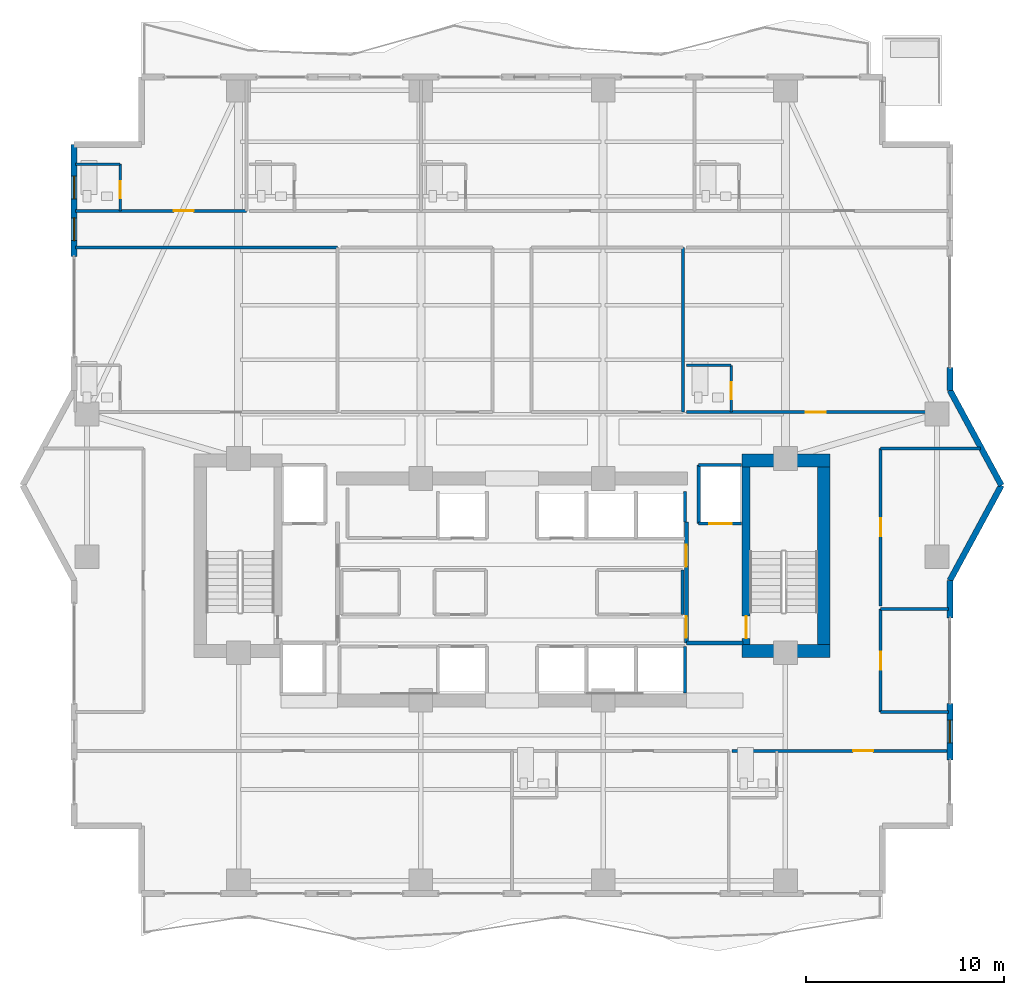
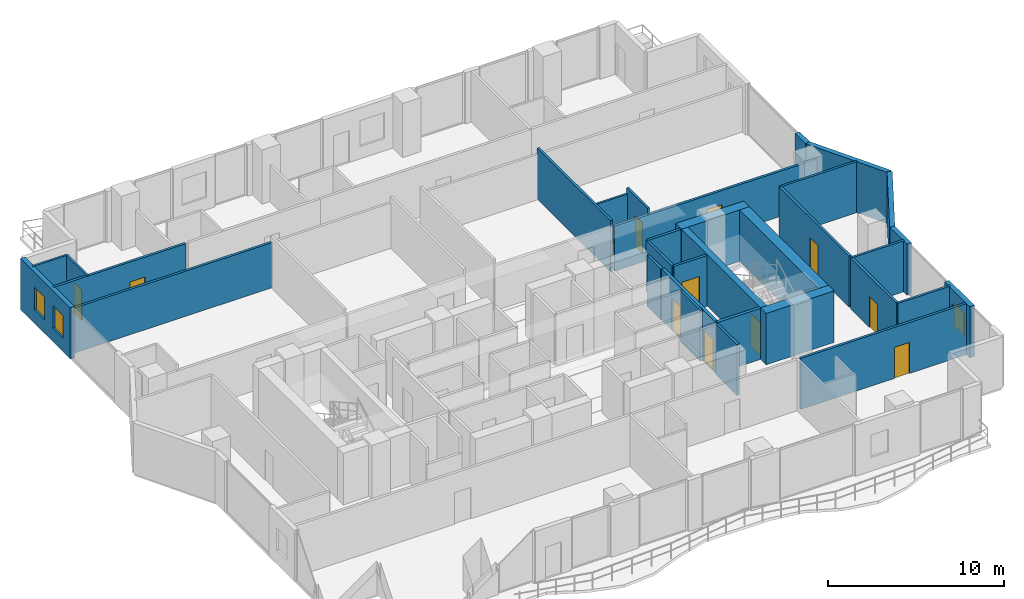
# One storey, part 27 of 33: 32 walls, 11 doors, 3 windows, 14 openings.
"""IFC4 building model written with IfcOpenShell, lengths in metres."""

import ifcopenshell
import ifcopenshell.guid

model = None  # the IFC model being written
_history = None  # IfcOwnerHistory: only IFC2X3 demands one
_inside = {}  # id of a spatial element -> (the spatial element, [elements in it])
_under = {}  # id of a project, library or spatial element -> (it, [spatial elements below it])
_declared = {}  # id of a project -> (the project, [libraries it declares])
_typed = {}  # id of a type object -> (the type object, [elements of that type])
_made_of = {}  # id of a material, layer set ... -> (it, [elements and type objects made of it])


def new_model(schema):
    """Start an empty IFC model of exactly this schema.

    Asked for "IFC4X3", IfcOpenShell would pick the latest addendum, in which some entities
    have other attributes; the version numbers below select the first issue.
    IFC2X3 requires an IfcOwnerHistory on every rooted entity: one is made here for all.
    """
    global model, _history
    if schema == "IFC4X3":
        model = ifcopenshell.file(schema_version=(4, 3, 0, 0))
    else:
        model = ifcopenshell.file(schema=schema)
    _inside.clear()
    _under.clear()
    _declared.clear()
    _typed.clear()
    _made_of.clear()
    _history = None
    if model.schema == "IFC2X3":
        org = make("IfcOrganization", Name="unknown")
        user = make(
            "IfcPersonAndOrganization",
            ThePerson=make("IfcPerson", FamilyName="unknown"),
            TheOrganization=org,
        )
        app = make(
            "IfcApplication",
            ApplicationDeveloper=org,
            Version="unknown",
            ApplicationFullName="unknown",
            ApplicationIdentifier="unknown",
        )
        _history = make(
            "IfcOwnerHistory",
            OwningUser=user,
            OwningApplication=app,
            ChangeAction="ADDED",
            CreationDate=0,
        )
    return model


def make(cls, **values):
    """One entity of the class cls with the attributes given. An attribute that is None is left unset."""
    return model.create_entity(
        cls, **{name: value for name, value in values.items() if value is not None}
    )


def rooted(cls, **values):
    """An entity with a GlobalId (a new one), such as an element, a storey or a relation."""
    return make(cls, GlobalId=ifcopenshell.guid.new(), OwnerHistory=_history, **values)


def si_unit(unit_type, name, prefix=None):
    """IfcSIUnit, for example si_unit("LENGTHUNIT", "METRE", prefix="MILLI")."""
    return make("IfcSIUnit", UnitType=unit_type, Prefix=prefix, Name=name)


def assignment(units):
    """IfcUnitAssignment: the units of a project."""
    return None if units is None else make("IfcUnitAssignment", Units=units)


def point(xyz):
    """IfcCartesianPoint."""
    return None if xyz is None else make("IfcCartesianPoint", Coordinates=xyz)


def direction(xyz):
    """IfcDirection."""
    return None if xyz is None else make("IfcDirection", DirectionRatios=xyz)


def frame(location, z_axis=None, x_axis=None):
    """IfcAxis2Placement3D, a coordinate frame: its origin and axes. An axis left out is left unset."""
    return make(
        "IfcAxis2Placement3D",
        Location=point(location),
        Axis=direction(z_axis),
        RefDirection=direction(x_axis),
    )


def frame_2d(location, x_axis=None):
    """IfcAxis2Placement2D, a coordinate frame in the plane: its origin and x axis."""
    return make(
        "IfcAxis2Placement2D", Location=point(location), RefDirection=direction(x_axis)
    )


def origin():
    """The frame at (0, 0, 0) with its axes left unset."""
    return frame((0.0, 0.0, 0.0))


def place(relative_to, where):
    """IfcLocalPlacement: puts the frame where relative to a parent placement (None: the world)."""
    return make(
        "IfcLocalPlacement", PlacementRelTo=relative_to, RelativePlacement=where
    )


def context(
    kind, dimensions, precision=None, world=None, true_north=None, identifier=None
):
    """IfcGeometricRepresentationContext, for example the 3D "Model" context."""
    return make(
        "IfcGeometricRepresentationContext",
        ContextIdentifier=identifier,
        ContextType=kind,
        CoordinateSpaceDimension=dimensions,
        Precision=precision,
        WorldCoordinateSystem=world,
        TrueNorth=true_north,
    )


def subcontext(parent, identifier, kind, view, scale=None):
    """IfcGeometricRepresentationSubContext, for example "Body" below "Model"."""
    return make(
        "IfcGeometricRepresentationSubContext",
        ContextIdentifier=identifier,
        ContextType=kind,
        ParentContext=parent,
        TargetScale=scale,
        TargetView=view,
    )


def project(units=None, contexts=None):
    """IfcProject with its units and contexts."""
    return rooted(
        "IfcProject",
        Name="project",
        RepresentationContexts=contexts,
        UnitsInContext=assignment(units),
    )


def spatial(cls, under=None, at=None, **own):
    """A site, building, storey or space (cls), placed at a placement, below another one or the project."""
    s = rooted(cls, ObjectPlacement=at, **own)
    if under is not None:
        _under.setdefault(under.id(), (under, []))[1].append(s)
    return s


def profile(cls, at=None, kind="AREA", **sizes):
    """A parametric profile (cls). Its sizes go by their IFC names, for example OverallWidth=200.0."""
    return make(cls, ProfileType=kind, Position=at, **sizes)


def rectangle(**sizes):
    """IfcRectangleProfileDef."""
    return profile("IfcRectangleProfileDef", **sizes)


def extrude(swept, where, along, depth):
    """IfcExtrudedAreaSolid: the profile swept, set in the frame where, extruded along a direction by depth."""
    return make(
        "IfcExtrudedAreaSolid",
        SweptArea=swept,
        Position=where,
        ExtrudedDirection=direction(along),
        Depth=depth,
    )


def shape(context_of_items, identifier, shape_type, items):
    """IfcShapeRepresentation: the items that make up one representation, for example the "Body"."""
    return make(
        "IfcShapeRepresentation",
        ContextOfItems=context_of_items,
        RepresentationIdentifier=identifier,
        RepresentationType=shape_type,
        Items=items,
    )


def material(Name=None, Category=None):
    """IfcMaterial."""
    return make("IfcMaterial", Name=Name, Category=Category)


def layer(
    of_material, thickness, ventilated=None, Name=None, Category=None, Priority=None
):
    """IfcMaterialLayer: one layer of a wall or slab, of a material (None: an air gap)."""
    return make(
        "IfcMaterialLayer",
        Material=of_material,
        LayerThickness=thickness,
        IsVentilated=ventilated,
        Name=Name,
        Category=Category,
        Priority=Priority,
    )


def layer_set(layers, Name=None):
    """IfcMaterialLayerSet."""
    return make("IfcMaterialLayerSet", MaterialLayers=layers, LayerSetName=Name)


def made_of(thing, what):
    """Note that an element or type object is made of a material, layer set ...; save() writes the relation."""
    if what is not None:
        _made_of.setdefault(what.id(), (what, []))[1].append(thing)
    return thing


def type_object(cls, material=None, **own):
    """A type object (cls), such as IfcWallType, which elements share."""
    return made_of(rooted(cls, **own), material)


def element(
    cls,
    number,
    at=None,
    inside=None,
    cuts=None,
    type_object=None,
    material=None,
    context=None,
    identifier="Body",
    shape_type=None,
    held_by="IfcProductDefinitionShape",
    body=None,
    shapes=None,
    **own,
):
    """One element of the class cls, such as IfcWall. Its Tag is "e" and its number.

    at: its placement. inside: the storey or other place that contains it. cuts: it is an
    opening in that element (IfcRelVoidsElement). A single representation is given by context,
    identifier, shape_type and body (its items); several are given by shapes. held_by: the class
    of the entity that holds the representations. save() writes the other relations.
    """
    e = rooted(cls, Tag="e%d" % number, ObjectPlacement=at, **own)
    if body is not None:
        shapes = [shape(context, identifier, shape_type, body)]
    if shapes is not None:
        e.Representation = make(held_by, Representations=shapes)
    if inside is not None:
        _inside.setdefault(inside.id(), (inside, []))[1].append(e)
    if cuts is not None:
        rooted(
            "IfcRelVoidsElement", RelatingBuildingElement=cuts, RelatedOpeningElement=e
        )
    if type_object is not None:
        _typed.setdefault(type_object.id(), (type_object, []))[1].append(e)
    return made_of(e, material)


def fill(opening, filler):
    """IfcRelFillsElement: the door or window that sits in an opening."""
    return rooted(
        "IfcRelFillsElement",
        RelatingOpeningElement=opening,
        RelatedBuildingElement=filler,
    )


def aggregate(whole, parts):
    """IfcRelAggregates: a whole, such as a stair, and the parts it consists of."""
    return rooted("IfcRelAggregates", RelatingObject=whole, RelatedObjects=parts)


def save(model, path):
    """Write the relations noted so far, then the file.

    IfcRelAggregates (storeys below a building ...), IfcRelContainedInSpatialStructure (elements
    in a storey), IfcRelDefinesByType, IfcRelAssociatesMaterial and IfcRelDeclares: one each for
    every whole, place, type object, material and project.
    """
    for whole, parts in _under.values():
        aggregate(whole, parts)
    for where, things in _inside.values():
        rooted(
            "IfcRelContainedInSpatialStructure",
            RelatedElements=things,
            RelatingStructure=where,
        )
    for kind, things in _typed.values():
        rooted("IfcRelDefinesByType", RelatedObjects=things, RelatingType=kind)
    for what, things in _made_of.values():
        rooted("IfcRelAssociatesMaterial", RelatedObjects=things, RelatingMaterial=what)
    for by, libraries in _declared.values():
        rooted("IfcRelDeclares", RelatingContext=by, RelatedDefinitions=libraries)
    model.write(path)


model = new_model("IFC4")

# Units and contexts
model_context = context("Model", 3, precision=1e-05, world=origin(), true_north=direction((0.0, 1.0)))
body_context = subcontext(model_context, "Body", "Model", "MODEL_VIEW")
ifc_project = project(units=[si_unit("LENGTHUNIT", "METRE"), si_unit("AREAUNIT", "SQUARE_METRE"), si_unit("VOLUMEUNIT", "CUBIC_METRE"), si_unit("PLANEANGLEUNIT", "RADIAN"), si_unit("MASSUNIT", "GRAM", prefix="KILO")], contexts=[model_context])

# Site, building, storey
site_placement = place(None, origin())
site = spatial("IfcSite", under=ifc_project, at=site_placement, CompositionType="ELEMENT")
building_placement = place(site_placement, origin())
building = spatial("IfcBuilding", under=site, at=building_placement, Name="Zuhayl Quay Hotel", CompositionType="ELEMENT")
storey_placement = place(building_placement, frame((0.0, 0.0, 211.14990234375)))
storey = spatial("IfcBuildingStorey", under=building, at=storey_placement, Name="L53", CompositionType="ELEMENT", Elevation=211.14990234375)

# Walls
ifc_material_1 = material(Name="Concrete C50/60", Category="concrete")
ifc_layer_1 = layer(ifc_material_1, 0.64990234375, Name="Concrete C50/60", Category="concrete")
ifc_layer_set_1 = layer_set([ifc_layer_1], Name="Concrete C50/60")
wall_type_1 = type_object("IfcWallType", Name="WL_CORE_650", PredefinedType="SHEAR", material=ifc_layer_set_1)
wall_1_placement = place(storey_placement, frame((11.60009765625, 14.2548828125, 0.0), z_axis=(0.0, 0.0, 1.0), x_axis=(1.0, 0.0, 0.0)))
element("IfcWall", 1, at=wall_1_placement, inside=storey, type_object=wall_type_1, Name="L53 Core Shear Wall CW_NE", PredefinedType="SHEAR", context=body_context, shape_type="SweptSolid", body=[
    extrude(rectangle(XDim=4.4599609375, YDim=0.64990234375, at=frame_2d((2.22998046875, 0.0))), origin(), (0.0, 0.0, 1.0), 3.56005859375),
])
wall_2_placement = place(storey_placement, frame((15.735107421875, 4.969970703125, 0.0), z_axis=(0.0, 0.0, 1.0), x_axis=(0.0, 1.0, 0.0)))
element("IfcWall", 2, at=wall_2_placement, inside=storey, type_object=wall_type_1, Name="L53 Core Shear Wall CW_E", PredefinedType="SHEAR", context=body_context, shape_type="SweptSolid", body=[
    extrude(rectangle(XDim=8.9599609375, YDim=0.64990234375, at=frame_2d((4.47998046875, 0.0))), origin(), (0.0, 0.0, 1.0), 3.56005859375),
])
wall_3_placement = place(storey_placement, frame((11.60009765625, 4.64501953125, 0.0), z_axis=(0.0, 0.0, 1.0), x_axis=(1.0, 0.0, 0.0)))
element("IfcWall", 3, at=wall_3_placement, inside=storey, type_object=wall_type_1, Name="L53 Core Shear Wall CW_SE", PredefinedType="SHEAR", context=body_context, shape_type="SweptSolid", body=[
    extrude(rectangle(XDim=4.4599609375, YDim=0.64990234375, at=frame_2d((2.22998046875, 0.0))), origin(), (0.0, 0.0, 1.0), 3.56005859375),
])

# Wall, openings, windows
ifc_material_2 = material(Name="Precast concrete C45/55", Category="concrete")
ifc_layer_2 = layer(ifc_material_2, 0.300048828125, Name="Precast concrete C45/55", Category="concrete")
ifc_layer_set_2 = layer_set([ifc_layer_2], Name="Precast concrete C45/55")
wall_type_2 = type_object("IfcWallType", Name="WL_EXT_300", PredefinedType="STANDARD", material=ifc_layer_set_2)
wall_4_placement = place(storey_placement, frame((-22.10009765625, 24.550048828125, 0.0), z_axis=(0.0, 0.0, 1.0), x_axis=(0.0, 1.0, 0.0)))
wall_4 = element("IfcWall", 4, at=wall_4_placement, inside=storey, type_object=wall_type_2, Name="L53 Exterior Precast Wall ENV_L53_E05_EW2", PredefinedType="STANDARD", context=body_context, shape_type="SweptSolid", body=[
    extrude(rectangle(XDim=5.64990234375, YDim=0.300048828125, at=frame_2d((2.824951171875, 0.0))), origin(), (0.0, 0.0, 1.0), 3.530029296875),
])
opening_1_placement = place(wall_4_placement, frame((0.800048828125, 0.0, 0.949951171875)))
opening_1 = element("IfcOpeningElement", 5, at=opening_1_placement, cuts=wall_4, Name="Opening W01N", PredefinedType="OPENING", context=body_context, shape_type="SweptSolid", body=[
    extrude(rectangle(XDim=1.14990234375, YDim=1.550048828125, at=frame_2d((0.574951171875, 0.77490234375))), frame((0.0, 0.159912109375, 0.0), z_axis=(0.0, -1.0, 0.0), x_axis=(1.0, 0.0, 0.0)), (0.0, 0.0, 1.0), 0.320068359375),
])
opening_2_placement = place(wall_4_placement, frame((2.905029296875, 0.0, 0.949951171875)))
opening_2 = element("IfcOpeningElement", 6, at=opening_2_placement, cuts=wall_4, Name="Opening W01N", PredefinedType="OPENING", context=body_context, shape_type="SweptSolid", body=[
    extrude(rectangle(XDim=1.14990234375, YDim=1.550048828125, at=frame_2d((0.574951171875, 0.77490234375))), frame((0.0, 0.159912109375, 0.0), z_axis=(0.0, -1.0, 0.0), x_axis=(1.0, 0.0, 0.0)), (0.0, 0.0, 1.0), 0.320068359375),
])
ifc_material_3 = material(Name="Dark Ceramic-Fritted Solar Glass", Category="glass")
window_type = type_object("IfcWindowType", Name="WN_NOTCH_1350", PartitioningType="SINGLE_PANEL", PredefinedType="WINDOW", material=ifc_material_3)
window_1_placement = place(opening_1_placement, origin())
window_1 = element("IfcWindow", 7, at=window_1_placement, inside=storey, type_object=window_type, Name="L53 Operable Facade Window 2-1", OverallHeight=1.550048828125, OverallWidth=1.14990234375, PartitioningType="SINGLE_PANEL", PredefinedType="WINDOW", context=body_context, shape_type="SweptSolid", body=[
    extrude(rectangle(XDim=1.14990234375, YDim=1.550048828125, at=frame_2d((0.574951171875, 0.77490234375))), frame((0.0, 0.030029296875, 0.0), z_axis=(0.0, -1.0, 0.0), x_axis=(1.0, 0.0, 0.0)), (0.0, 0.0, 1.0), 0.06005859375),
])
fill(opening_1, window_1)
window_2_placement = place(opening_2_placement, origin())
window_2 = element("IfcWindow", 8, at=window_2_placement, inside=storey, type_object=window_type, Name="L53 Operable Facade Window 2-2", OverallHeight=1.550048828125, OverallWidth=1.14990234375, PartitioningType="SINGLE_PANEL", PredefinedType="WINDOW", context=body_context, shape_type="SweptSolid", body=[
    extrude(rectangle(XDim=1.14990234375, YDim=1.550048828125, at=frame_2d((0.574951171875, 0.77490234375))), frame((0.0, 0.030029296875, 0.0), z_axis=(0.0, -1.0, 0.0), x_axis=(1.0, 0.0, 0.0)), (0.0, 0.0, 1.0), 0.06005859375),
])
fill(opening_2, window_2)

# Walls
wall_5_placement = place(storey_placement, frame((22.10009765625, 18.949951171875, 0.0), z_axis=(0.0, 0.0, 1.0), x_axis=(0.0, -1.0, 0.0)))
element("IfcWall", 9, at=wall_5_placement, inside=storey, type_object=wall_type_2, Name="L53 Exterior Precast Wall ENV_L53_E11_EW2", PredefinedType="STANDARD", context=body_context, shape_type="SweptSolid", body=[
    extrude(rectangle(XDim=1.14990234375, YDim=0.300048828125, at=frame_2d((0.574951171875, 0.0))), origin(), (0.0, 0.0, 1.0), 3.530029296875),
])
for number, where, z_axis, x_axis, name in (
    (10, (22.10009765625, 17.800048828125, 0.0), (0.0, 0.0, 1.0), (0.476258655584, -0.879305233114, 0.0), "L53 Exterior Precast Wall ENV_L53_EW12"),
    (11, (24.699951171875, 13.0, 0.0), (0.0, 0.0, 1.0), (-0.476258655584, -0.879305233114, 0.0), "L53 Exterior Precast Wall ENV_L53_EW13"),
):
    element("IfcWall", number, at=place(storey_placement, frame(where, z_axis=z_axis, x_axis=x_axis)), inside=storey, type_object=wall_type_2, Name=name, PredefinedType="STANDARD", context=body_context, shape_type="SweptSolid", body=[
        extrude(rectangle(XDim=5.458984375, YDim=0.300048828125, at=frame_2d((2.7294921875, 0.0))), origin(), (0.0, 0.0, 1.0), 3.530029296875),
    ])
wall_6_placement = place(storey_placement, frame((22.10009765625, 8.199951171875, 0.0), z_axis=(0.0, 0.0, 1.0), x_axis=(0.0, -1.0, 0.0)))
element("IfcWall", 12, at=wall_6_placement, inside=storey, type_object=wall_type_2, Name="L53 Exterior Precast Wall ENV_L53_E14_EW1", PredefinedType="STANDARD", context=body_context, shape_type="SweptSolid", body=[
    extrude(rectangle(XDim=1.89990234375, YDim=0.300048828125, at=frame_2d((0.949951171875, 0.0))), origin(), (0.0, 0.0, 1.0), 3.530029296875),
])

# Wall, opening, window
wall_7_placement = place(storey_placement, frame((22.10009765625, 2.0, 0.0), z_axis=(0.0, 0.0, 1.0), x_axis=(0.0, -1.0, 0.0)))
wall_7 = element("IfcWall", 13, at=wall_7_placement, inside=storey, type_object=wall_type_2, Name="L53 Exterior Precast Wall ENV_L53_E14_EW2", PredefinedType="STANDARD", context=body_context, shape_type="SweptSolid", body=[
    extrude(rectangle(XDim=2.85009765625, YDim=0.300048828125, at=frame_2d((1.425048828125, 0.0))), origin(), (0.0, 0.0, 1.0), 3.530029296875),
])
opening_3_placement = place(wall_7_placement, frame((0.85009765625, 0.0, 0.949951171875)))
opening_3 = element("IfcOpeningElement", 14, at=opening_3_placement, cuts=wall_7, Name="Opening W01N", PredefinedType="OPENING", context=body_context, shape_type="SweptSolid", body=[
    extrude(rectangle(XDim=1.14990234375, YDim=1.550048828125, at=frame_2d((0.574951171875, 0.77490234375))), frame((0.0, 0.159912109375, 0.0), z_axis=(0.0, -1.0, 0.0), x_axis=(1.0, 0.0, 0.0)), (0.0, 0.0, 1.0), 0.320068359375),
])
window_3_placement = place(opening_3_placement, origin())
window_3 = element("IfcWindow", 15, at=window_3_placement, inside=storey, type_object=window_type, Name="L53 Operable Facade Window 2-1", OverallHeight=1.550048828125, OverallWidth=1.14990234375, PartitioningType="SINGLE_PANEL", PredefinedType="WINDOW", context=body_context, shape_type="SweptSolid", body=[
    extrude(rectangle(XDim=1.14990234375, YDim=1.550048828125, at=frame_2d((0.574951171875, 0.77490234375))), frame((0.0, 0.030029296875, 0.0), z_axis=(0.0, -1.0, 0.0), x_axis=(1.0, 0.0, 0.0)), (0.0, 0.0, 1.0), 0.06005859375),
])
fill(opening_3, window_3)

# Walls
ifc_material_4 = material(Name="Acoustic Gypsum Partition STC-58")
ifc_layer_3 = layer(ifc_material_4, 0.14990234375, Name="Acoustic Gypsum Partition STC-58")
ifc_layer_set_3 = layer_set([ifc_layer_3], Name="Acoustic Gypsum Partition STC-58")
wall_type_3 = type_object("IfcWallType", Name="WL_PART_150", PredefinedType="PARTITIONING", material=ifc_layer_set_3)
wall_8_placement = place(storey_placement, frame((8.610107421875, 6.47998046875, 0.0), z_axis=(0.0, 0.0, 1.0), x_axis=(0.0, 1.0, 0.0)))
element("IfcWall", 16, at=wall_8_placement, inside=storey, type_object=wall_type_3, Name="L53 Partition IW_L53_CORE_VL_E", PredefinedType="PARTITIONING", context=body_context, shape_type="SweptSolid", body=[
    extrude(rectangle(XDim=2.239990234375, YDim=0.14990234375, at=frame_2d((1.1201171875, 0.0))), origin(), (0.0, 0.0, 1.0), 3.530029296875),
])
wall_9_placement = place(storey_placement, frame((8.639892578125, 16.699951171875, 0.0), z_axis=(0.0, 0.0, 1.0), x_axis=(0.0, 1.0, 0.0)))
element("IfcWall", 17, at=wall_9_placement, inside=storey, type_object=wall_type_3, Name="L53 Partition IW_L53_Z3_MID_E_E", PredefinedType="PARTITIONING", context=body_context, shape_type="SweptSolid", body=[
    extrude(rectangle(XDim=8.300048828125, YDim=0.14990234375, at=frame_2d((4.14990234375, 0.0))), origin(), (0.0, 0.0, 1.0), 3.530029296875),
])
for number, where, z_axis, x_axis, name in (
    (18, (18.60009765625, 1.550048828125, 0.0), (0.0, 0.0, 1.0), (1.0, 0.0, 0.0), "L53 Partition IW_L53_HK_MAIN_S"),
    (19, (18.60009765625, 6.75, 0.0), (0.0, 0.0, 1.0), (1.0, 0.0, 0.0), "L53 Partition IW_L53_HK_MAIN_N"),
):
    element("IfcWall", number, at=place(storey_placement, frame(where, z_axis=z_axis, x_axis=x_axis)), inside=storey, type_object=wall_type_3, Name=name, PredefinedType="PARTITIONING", context=body_context, shape_type="SweptSolid", body=[
        extrude(rectangle(XDim=3.43994140625, YDim=0.14990234375, at=frame_2d((1.719970703125, 0.0))), origin(), (0.0, 0.0, 1.0), 3.530029296875),
    ])
wall_10_placement = place(storey_placement, frame((18.60009765625, 14.85009765625, 0.0), z_axis=(0.0, 0.0, 1.0), x_axis=(1.0, 0.0, 0.0)))
element("IfcWall", 20, at=wall_10_placement, inside=storey, type_object=wall_type_3, Name="L53 Partition IW_L53_EFLK_2_N", PredefinedType="PARTITIONING", context=body_context, shape_type="SweptSolid", body=[
    extrude(rectangle(XDim=5.037841796875, YDim=0.14990234375, at=frame_2d((2.51904296875, 0.0))), origin(), (0.0, 0.0, 1.0), 3.530029296875),
])

# Wall, opening, door
ifc_layer_4 = layer(ifc_material_4, 0.159912109375, Name="Acoustic Gypsum Partition STC-58")
ifc_layer_set_4 = layer_set([ifc_layer_4], Name="Acoustic Gypsum Partition STC-58")
wall_type_4 = type_object("IfcWallType", Name="WL_PART_CORR_160", PredefinedType="PARTITIONING", material=ifc_layer_set_4)
wall_11_placement = place(storey_placement, frame((-22.0400390625, 26.85009765625, 0.0), z_axis=(0.0, 0.0, 1.0), x_axis=(1.0, 0.0, 0.0)))
wall_11 = element("IfcWall", 21, at=wall_11_placement, inside=storey, type_object=wall_type_4, Name="L53 Partition IW_L53_NU01A_COR", PredefinedType="PARTITIONING", context=body_context, shape_type="SweptSolid", body=[
    extrude(rectangle(XDim=8.64013671875, YDim=0.159912109375, at=frame_2d((4.320068359375, 0.0))), origin(), (0.0, 0.0, 1.0), 3.530029296875),
])
opening_4_placement = place(wall_11_placement, frame((4.969970703125, 0.0, 0.0)))
opening_4 = element("IfcOpeningElement", 22, at=opening_4_placement, cuts=wall_11, Name="Opening D03L", PredefinedType="OPENING", context=body_context, shape_type="SweptSolid", body=[
    extrude(rectangle(XDim=1.0, YDim=2.14990234375, at=frame_2d((0.5, 1.074951171875))), frame((0.0, 0.08984375, 0.0), z_axis=(0.0, -1.0, 0.0), x_axis=(1.0, 0.0, 0.0)), (0.0, 0.0, 1.0), 0.179931640625),
])
ifc_material_5 = material(Name="Solid Walnut Acoustic Fire Door")
door_type_1 = type_object("IfcDoorType", Name="DR_SUITE_1000", OperationType="NOTDEFINED", PredefinedType="DOOR", material=ifc_material_5)
door_1_placement = place(opening_4_placement, origin())
door_1 = element("IfcDoor", 23, at=door_1_placement, inside=storey, type_object=door_type_1, Name="L53 Panoramic Gulf Suite L53-01A Entrance Door", OperationType="SINGLE_SWING_LEFT", OverallHeight=2.14990234375, OverallWidth=1.0, PredefinedType="DOOR", context=body_context, shape_type="SweptSolid", body=[
    extrude(rectangle(XDim=1.0, YDim=2.14990234375, at=frame_2d((0.5, 1.074951171875))), frame((0.0, 0.02490234375, 0.0), z_axis=(0.0, -1.0, 0.0), x_axis=(1.0, 0.0, 0.0)), (0.0, 0.0, 1.0), 0.050048828125),
])
fill(opening_4, door_1)

wall_12_placement = place(storey_placement, frame((8.800048828125, 16.699951171875, 0.0), z_axis=(0.0, 0.0, 1.0), x_axis=(1.0, 0.0, 0.0)))
wall_12 = element("IfcWall", 24, at=wall_12_placement, inside=storey, type_object=wall_type_4, Name="L53 Partition IW_L53_MU04_COR", PredefinedType="PARTITIONING", context=body_context, shape_type="SweptSolid", body=[
    extrude(rectangle(XDim=13.239990234375, YDim=0.159912109375, at=frame_2d((6.6201171875, 0.0))), origin(), (0.0, 0.0, 1.0), 3.1240234375),
])
opening_5_placement = place(wall_12_placement, frame((6.02490234375, 0.0, 0.0)))
opening_5 = element("IfcOpeningElement", 25, at=opening_5_placement, cuts=wall_12, Name="Opening D03L", PredefinedType="OPENING", context=body_context, shape_type="SweptSolid", body=[
    extrude(rectangle(XDim=1.0, YDim=2.14990234375, at=frame_2d((0.5, 1.074951171875))), frame((0.0, 0.08984375, 0.0), z_axis=(0.0, -1.0, 0.0), x_axis=(1.0, 0.0, 0.0)), (0.0, 0.0, 1.0), 0.179931640625),
])
door_2_placement = place(opening_5_placement, origin())
door_2 = element("IfcDoor", 26, at=door_2_placement, inside=storey, type_object=door_type_1, Name="L53 Club Junior Suite L53-M4 Entrance Door", OperationType="SINGLE_SWING_LEFT", OverallHeight=2.14990234375, OverallWidth=1.0, PredefinedType="DOOR", context=body_context, shape_type="SweptSolid", body=[
    extrude(rectangle(XDim=1.0, YDim=2.14990234375, at=frame_2d((0.5, 1.074951171875))), frame((0.0, 0.02490234375, 0.0), z_axis=(0.0, -1.0, 0.0), x_axis=(1.0, 0.0, 0.0)), (0.0, 0.0, 1.0), 0.050048828125),
])
fill(opening_5, door_2)

wall_13_placement = place(storey_placement, frame((11.10009765625, -0.39990234375, 0.0), z_axis=(0.0, 0.0, 1.0), x_axis=(1.0, 0.0, 0.0)))
wall_13 = element("IfcWall", 27, at=wall_13_placement, inside=storey, type_object=wall_type_4, Name="L53 Partition IW_L53_SU02B_COR", PredefinedType="PARTITIONING", context=body_context, shape_type="SweptSolid", body=[
    extrude(rectangle(XDim=10.93994140625, YDim=0.159912109375, at=frame_2d((5.469970703125, 0.0))), origin(), (0.0, 0.0, 1.0), 3.530029296875),
])
opening_6_placement = place(wall_13_placement, frame((6.1201171875, 0.0, 0.0)))
opening_6 = element("IfcOpeningElement", 28, at=opening_6_placement, cuts=wall_13, Name="Opening D03L", PredefinedType="OPENING", context=body_context, shape_type="SweptSolid", body=[
    extrude(rectangle(XDim=1.0, YDim=2.14990234375, at=frame_2d((0.5, 1.074951171875))), frame((0.0, 0.08984375, 0.0), z_axis=(0.0, -1.0, 0.0), x_axis=(1.0, 0.0, 0.0)), (0.0, 0.0, 1.0), 0.179931640625),
])
door_3_placement = place(opening_6_placement, origin())
door_3 = element("IfcDoor", 29, at=door_3_placement, inside=storey, type_object=door_type_1, Name="L53 City-View Junior Suite L53-02B Entrance Door", OperationType="SINGLE_SWING_RIGHT", OverallHeight=2.14990234375, OverallWidth=1.0, PredefinedType="DOOR", context=body_context, shape_type="SweptSolid", body=[
    extrude(rectangle(XDim=1.0, YDim=2.14990234375, at=frame_2d((0.5, 1.074951171875))), frame((0.0, 0.02490234375, 0.0), z_axis=(0.0, -1.0, 0.0), x_axis=(1.0, 0.0, 0.0)), (0.0, 0.0, 1.0), 0.050048828125),
])
fill(opening_6, door_3)

wall_14_placement = place(storey_placement, frame((18.60009765625, 1.550048828125, 0.0), z_axis=(0.0, 0.0, 1.0), x_axis=(0.0, 1.0, 0.0)))
wall_14 = element("IfcWall", 30, at=wall_14_placement, inside=storey, type_object=wall_type_4, Name="L53 Partition IW_L53_HK_MAIN_W", PredefinedType="PARTITIONING", context=body_context, shape_type="SweptSolid", body=[
    extrude(rectangle(XDim=5.199951171875, YDim=0.159912109375, at=frame_2d((2.60009765625, 0.0))), origin(), (0.0, 0.0, 1.0), 3.530029296875),
])
opening_7_placement = place(wall_14_placement, frame((2.139892578125, 0.0, 0.0)))
opening_7 = element("IfcOpeningElement", 31, at=opening_7_placement, cuts=wall_14, Name="Opening D05", PredefinedType="OPENING", context=body_context, shape_type="SweptSolid", body=[
    extrude(rectangle(XDim=0.919921875, YDim=2.1201171875, at=frame_2d((0.4599609375, 1.06005859375))), frame((0.0, 0.08984375, 0.0), z_axis=(0.0, -1.0, 0.0), x_axis=(1.0, 0.0, 0.0)), (0.0, 0.0, 1.0), 0.179931640625),
])
door_type_2 = type_object("IfcDoorType", Name="DR_INT_950", OperationType="NOTDEFINED", PredefinedType="DOOR", material=ifc_material_5)
door_4_placement = place(opening_7_placement, origin())
door_4 = element("IfcDoor", 32, at=door_4_placement, inside=storey, type_object=door_type_2, Name="L53 Housekeeping and Linen Room Door", OperationType="SINGLE_SWING_LEFT", OverallHeight=2.1201171875, OverallWidth=0.919921875, PredefinedType="DOOR", context=body_context, shape_type="SweptSolid", body=[
    extrude(rectangle(XDim=0.919921875, YDim=2.1201171875, at=frame_2d((0.4599609375, 1.06005859375))), frame((0.0, 0.02490234375, 0.0), z_axis=(0.0, -1.0, 0.0), x_axis=(1.0, 0.0, 0.0)), (0.0, 0.0, 1.0), 0.050048828125),
])
fill(opening_7, door_4)

wall_15_placement = place(storey_placement, frame((18.60009765625, 6.909912109375, 0.0), z_axis=(0.0, 0.0, 1.0), x_axis=(0.0, 1.0, 0.0)))
wall_15 = element("IfcWall", 33, at=wall_15_placement, inside=storey, type_object=wall_type_4, Name="L53 Partition IW_L53_EFLK_2_W", PredefinedType="PARTITIONING", context=body_context, shape_type="SweptSolid", body=[
    extrude(rectangle(XDim=7.940185546875, YDim=0.159912109375, at=frame_2d((3.97021484375, 0.0))), origin(), (0.0, 0.0, 1.0), 3.530029296875),
])
opening_8_placement = place(wall_15_placement, frame((3.510009765625, 0.0, 0.0)))
opening_8 = element("IfcOpeningElement", 34, at=opening_8_placement, cuts=wall_15, Name="Opening D05", PredefinedType="OPENING", context=body_context, shape_type="SweptSolid", body=[
    extrude(rectangle(XDim=0.919921875, YDim=2.1201171875, at=frame_2d((0.4599609375, 1.06005859375))), frame((0.0, 0.08984375, 0.0), z_axis=(0.0, -1.0, 0.0), x_axis=(1.0, 0.0, 0.0)), (0.0, 0.0, 1.0), 0.179931640625),
])
door_5_placement = place(opening_8_placement, origin())
door_5 = element("IfcDoor", 35, at=door_5_placement, inside=storey, type_object=door_type_2, Name="L53 East Prow Reading Lounge L53 Door", OperationType="SINGLE_SWING_RIGHT", OverallHeight=2.1201171875, OverallWidth=0.919921875, PredefinedType="DOOR", context=body_context, shape_type="SweptSolid", body=[
    extrude(rectangle(XDim=0.919921875, YDim=2.1201171875, at=frame_2d((0.4599609375, 1.06005859375))), frame((0.0, 0.02490234375, 0.0), z_axis=(0.0, -1.0, 0.0), x_axis=(1.0, 0.0, 0.0)), (0.0, 0.0, 1.0), 0.050048828125),
])
fill(opening_8, door_5)

# Wall
wall_16_placement = place(storey_placement, frame((-22.0400390625, 25.0, 0.0), z_axis=(0.0, 0.0, 1.0), x_axis=(1.0, 0.0, 0.0)))
element("IfcWall", 36, at=wall_16_placement, inside=storey, type_object=wall_type_4, Name="L53 Partition IW_L53_MU01_BK", PredefinedType="PARTITIONING", context=body_context, shape_type="SweptSolid", body=[
    extrude(rectangle(XDim=13.239990234375, YDim=0.159912109375, at=frame_2d((6.6201171875, 0.0))), origin(), (0.0, 0.0, 1.0), 3.1240234375),
])

# Wall, opening, door
ifc_material_6 = material(Name="Moisture-Resistant Sanitarychase Gypsum")
ifc_layer_5 = layer(ifc_material_6, 0.135009765625, Name="Moisture-Resistant Sanitarychase Gypsum")
ifc_layer_set_5 = layer_set([ifc_layer_5], Name="Moisture-Resistant Sanitarychase Gypsum")
wall_type_5 = type_object("IfcWallType", Name="WL_PART_PLUMB_150", PredefinedType="PLUMBINGWALL", material=ifc_layer_set_5)
wall_17_placement = place(storey_placement, frame((-19.780029296875, 26.85009765625, 0.0), z_axis=(0.0, 0.0, 1.0), x_axis=(0.0, 1.0, 0.0)))
wall_17 = element("IfcWall", 37, at=wall_17_placement, inside=storey, type_object=wall_type_5, Name="L53 Partition IW_L53_NU01A_BE", PredefinedType="PLUMBINGWALL", context=body_context, shape_type="SweptSolid", body=[
    extrude(rectangle(XDim=2.35986328125, YDim=0.135009765625, at=frame_2d((1.179931640625, 0.0))), origin(), (0.0, 0.0, 1.0), 3.530029296875),
])
opening_9_placement = place(wall_17_placement, frame((0.64990234375, 0.0, 0.0)))
opening_9 = element("IfcOpeningElement", 38, at=opening_9_placement, cuts=wall_17, Name="Opening D04", PredefinedType="OPENING", context=body_context, shape_type="SweptSolid", body=[
    extrude(rectangle(XDim=0.85009765625, YDim=2.10009765625, at=frame_2d((0.425048828125, 1.050048828125))), frame((0.0, 0.077392578125, 0.0), z_axis=(0.0, -1.0, 0.0), x_axis=(1.0, 0.0, 0.0)), (0.0, 0.0, 1.0), 0.155029296875),
])
ifc_material_7 = material(Name="Moisture-Resistant Walnut Veneer")
door_type_3 = type_object("IfcDoorType", Name="DR_BATH_850", OperationType="NOTDEFINED", PredefinedType="DOOR", material=ifc_material_7)
door_6_placement = place(opening_9_placement, origin())
door_6 = element("IfcDoor", 39, at=door_6_placement, inside=storey, type_object=door_type_3, Name="L53 Panoramic Gulf Suite L53-01A En-Suite Door", OperationType="SINGLE_SWING_RIGHT", OverallHeight=2.10009765625, OverallWidth=0.85009765625, PredefinedType="DOOR", context=body_context, shape_type="SweptSolid", body=[
    extrude(rectangle(XDim=0.85009765625, YDim=2.10009765625, at=frame_2d((0.425048828125, 1.050048828125))), frame((0.0, 0.02490234375, 0.0), z_axis=(0.0, -1.0, 0.0), x_axis=(1.0, 0.0, 0.0)), (0.0, 0.0, 1.0), 0.050048828125),
])
fill(opening_9, door_6)

wall_18_placement = place(storey_placement, frame((11.06005859375, 16.699951171875, 0.0), z_axis=(0.0, 0.0, 1.0), x_axis=(0.0, 1.0, 0.0)))
wall_18 = element("IfcWall", 40, at=wall_18_placement, inside=storey, type_object=wall_type_5, Name="L53 Partition IW_L53_MU04_BE", PredefinedType="PLUMBINGWALL", context=body_context, shape_type="SweptSolid", body=[
    extrude(rectangle(XDim=2.360107421875, YDim=0.135009765625, at=frame_2d((1.18017578125, 0.0))), origin(), (0.0, 0.0, 1.0), 3.530029296875),
])
opening_10_placement = place(wall_18_placement, frame((0.64990234375, 0.0, 0.0)))
opening_10 = element("IfcOpeningElement", 41, at=opening_10_placement, cuts=wall_18, Name="Opening D04", PredefinedType="OPENING", context=body_context, shape_type="SweptSolid", body=[
    extrude(rectangle(XDim=0.85009765625, YDim=2.10009765625, at=frame_2d((0.425048828125, 1.050048828125))), frame((0.0, 0.077392578125, 0.0), z_axis=(0.0, -1.0, 0.0), x_axis=(1.0, 0.0, 0.0)), (0.0, 0.0, 1.0), 0.155029296875),
])
door_7_placement = place(opening_10_placement, origin())
door_7 = element("IfcDoor", 42, at=door_7_placement, inside=storey, type_object=door_type_3, Name="L53 Club Junior Suite L53-M4 En-Suite Door", OperationType="SINGLE_SWING_RIGHT", OverallHeight=2.10009765625, OverallWidth=0.85009765625, PredefinedType="DOOR", context=body_context, shape_type="SweptSolid", body=[
    extrude(rectangle(XDim=0.85009765625, YDim=2.10009765625, at=frame_2d((0.425048828125, 1.050048828125))), frame((0.0, 0.02490234375, 0.0), z_axis=(0.0, -1.0, 0.0), x_axis=(1.0, 0.0, 0.0)), (0.0, 0.0, 1.0), 0.050048828125),
])
fill(opening_10, door_7)

# Walls
wall_19_placement = place(storey_placement, frame((-22.0400390625, 29.2099609375, 0.0), z_axis=(0.0, 0.0, 1.0), x_axis=(1.0, 0.0, 0.0)))
element("IfcWall", 43, at=wall_19_placement, inside=storey, type_object=wall_type_5, Name="L53 Partition IW_L53_NU01A_BN", PredefinedType="PLUMBINGWALL", context=body_context, shape_type="SweptSolid", body=[
    extrude(rectangle(XDim=2.260009765625, YDim=0.135009765625, at=frame_2d((1.1298828125, 0.0))), origin(), (0.0, 0.0, 1.0), 3.530029296875),
])
wall_20_placement = place(storey_placement, frame((8.800048828125, 19.06005859375, 0.0), z_axis=(0.0, 0.0, 1.0), x_axis=(1.0, 0.0, 0.0)))
element("IfcWall", 44, at=wall_20_placement, inside=storey, type_object=wall_type_5, Name="L53 Partition IW_L53_MU04_BN", PredefinedType="PLUMBINGWALL", context=body_context, shape_type="SweptSolid", body=[
    extrude(rectangle(XDim=2.260009765625, YDim=0.135009765625, at=frame_2d((1.1298828125, 0.0))), origin(), (0.0, 0.0, 1.0), 3.1240234375),
])

# Wall, opening, door
ifc_material_8 = material(Name="Gypsum Fireboard Assembly EI-90")
ifc_layer_6 = layer(ifc_material_8, 0.1650390625, Name="Gypsum Fireboard Assembly EI-90")
ifc_layer_set_6 = layer_set([ifc_layer_6], Name="Gypsum Fireboard Assembly EI-90")
wall_type_6 = type_object("IfcWallType", Name="WL_PART_SHAFT_160", PredefinedType="PARTITIONING", material=ifc_layer_set_6)
wall_21_placement = place(storey_placement, frame((9.419921875, 11.070068359375, 0.0), z_axis=(0.0, 0.0, 1.0), x_axis=(1.0, 0.0, 0.0)))
wall_21 = element("IfcWall", 45, at=wall_21_placement, inside=storey, type_object=wall_type_6, Name="L53 Partition IW_L53_SH_FL2_F", PredefinedType="PARTITIONING", context=body_context, shape_type="SweptSolid", body=[
    extrude(rectangle(XDim=2.16015625, YDim=0.1650390625, at=frame_2d((1.080078125, 0.0))), origin(), (0.0, 0.0, 1.0), 3.530029296875),
])
opening_11_placement = place(wall_21_placement, frame((0.530029296875, 0.0, 0.0)))
opening_11 = element("IfcOpeningElement", 46, at=opening_11_placement, cuts=wall_21, Name="Opening LD2", PredefinedType="OPENING", context=body_context, shape_type="SweptSolid", body=[
    extrude(rectangle(XDim=1.14990234375, YDim=2.25, at=frame_2d((0.574951171875, 1.125))), frame((0.0, 0.092529296875, 0.0), z_axis=(0.0, -1.0, 0.0), x_axis=(1.0, 0.0, 0.0)), (0.0, 0.0, 1.0), 0.18505859375),
])
ifc_material_9 = material(Name="Brushed Stainless Steel", Category="steel")
door_type_4 = type_object("IfcDoorType", Name="DR_LIFT_FF_1100", OperationType="SLIDING_TO_LEFT", PredefinedType="DOOR", material=ifc_material_9)
door_8_placement = place(opening_11_placement, origin())
door_8 = element("IfcDoor", 47, at=door_8_placement, inside=storey, type_object=door_type_4, Name="L53 Lift FL2 Sliding Landing Door", OperationType="SLIDING_TO_LEFT", OverallHeight=2.25, OverallWidth=1.14990234375, PredefinedType="DOOR", context=body_context, shape_type="SweptSolid", body=[
    extrude(rectangle(XDim=1.14990234375, YDim=2.25, at=frame_2d((0.574951171875, 1.125))), frame((0.0, 0.02490234375, 0.0), z_axis=(0.0, -1.0, 0.0), x_axis=(1.0, 0.0, 0.0)), (0.0, 0.0, 1.0), 0.050048828125),
])
fill(opening_11, door_8)

# Walls
wall_22_placement = place(storey_placement, frame((9.419921875, 11.070068359375, 0.0), z_axis=(0.0, 0.0, 1.0), x_axis=(0.0, 1.0, 0.0)))
element("IfcWall", 48, at=wall_22_placement, inside=storey, type_object=wall_type_6, Name="L53 Partition IW_L53_SH_FL2_W", PredefinedType="PARTITIONING", context=body_context, shape_type="SweptSolid", body=[
    extrude(rectangle(XDim=2.9599609375, YDim=0.1650390625, at=frame_2d((1.47998046875, 0.0))), origin(), (0.0, 0.0, 1.0), 3.530029296875),
])
wall_23_placement = place(storey_placement, frame((9.419921875, 14.030029296875, 0.0), z_axis=(0.0, 0.0, 1.0), x_axis=(1.0, 0.0, 0.0)))
element("IfcWall", 49, at=wall_23_placement, inside=storey, type_object=wall_type_6, Name="L53 Partition IW_L53_SH_FL2_B", PredefinedType="PARTITIONING", context=body_context, shape_type="SweptSolid", body=[
    extrude(rectangle(XDim=2.16015625, YDim=0.1650390625, at=frame_2d((1.080078125, 0.0))), origin(), (0.0, 0.0, 1.0), 3.530029296875),
])
wall_24_placement = place(storey_placement, frame((8.72998046875, 2.52001953125, 0.0), z_axis=(0.0, 0.0, 1.0), x_axis=(0.0, 1.0, 0.0)))
element("IfcWall", 50, at=wall_24_placement, inside=storey, type_object=wall_type_6, Name="L53 Partition IW_L53_SH_HP2_E", PredefinedType="PARTITIONING", context=body_context, shape_type="SweptSolid", body=[
    extrude(rectangle(XDim=2.35986328125, YDim=0.1650390625, at=frame_2d((1.179931640625, 0.0))), origin(), (0.0, 0.0, 1.0), 3.530029296875),
])
wall_25_placement = place(storey_placement, frame((8.72998046875, 11.14990234375, 0.0), z_axis=(0.0, 0.0, 1.0), x_axis=(0.0, 1.0, 0.0)))
element("IfcWall", 51, at=wall_25_placement, inside=storey, type_object=wall_type_6, Name="L53 Partition IW_L53_SH_HP4_E", PredefinedType="PARTITIONING", context=body_context, shape_type="SweptSolid", body=[
    extrude(rectangle(XDim=1.530029296875, YDim=0.1650390625, at=frame_2d((0.76513671875, 0.0))), origin(), (0.0, 0.0, 1.0), 3.530029296875),
])

# Wall, openings, doors
ifc_material_10 = material(Name="Gypsum Fireboard Assembly EI-120")
ifc_layer_7 = layer(ifc_material_10, 0.199951171875, Name="Gypsum Fireboard Assembly EI-120")
ifc_layer_set_7 = layer_set([ifc_layer_7], Name="Gypsum Fireboard Assembly EI-120")
wall_type_7 = type_object("IfcWallType", Name="WL_PART_SHAFT_200", PredefinedType="PARTITIONING", material=ifc_layer_set_7)
wall_26_placement = place(storey_placement, frame((8.800048828125, 11.14990234375, 0.0), z_axis=(0.0, 0.0, 1.0), x_axis=(0.0, -1.0, 0.0)))
wall_26 = element("IfcWall", 52, at=wall_26_placement, inside=storey, type_object=wall_type_7, Name="L53 Partition IW_L53_FSAE_E_W", PredefinedType="PARTITIONING", context=body_context, shape_type="SweptSolid", body=[
    extrude(rectangle(XDim=6.099853515625, YDim=0.199951171875, at=frame_2d((3.0498046875, 0.0))), origin(), (0.0, 0.0, 1.0), 3.530029296875),
])
opening_12_placement = place(wall_26_placement, frame((1.14990234375, 0.0, 0.0)))
opening_12 = element("IfcOpeningElement", 53, at=opening_12_placement, cuts=wall_26, Name="Opening D02", PredefinedType="OPENING", context=body_context, shape_type="SweptSolid", body=[
    extrude(rectangle(XDim=1.10009765625, YDim=2.199951171875, at=frame_2d((0.550048828125, 1.10009765625))), frame((0.0, 0.10986328125, 0.0), z_axis=(0.0, -1.0, 0.0), x_axis=(1.0, 0.0, 0.0)), (0.0, 0.0, 1.0), 0.219970703125),
])
opening_13_placement = place(wall_26_placement, frame((4.75, 0.0, 0.0)))
opening_13 = element("IfcOpeningElement", 54, at=opening_13_placement, cuts=wall_26, Name="Opening D02", PredefinedType="OPENING", context=body_context, shape_type="SweptSolid", body=[
    extrude(rectangle(XDim=1.10009765625, YDim=2.199951171875, at=frame_2d((0.550048828125, 1.10009765625))), frame((0.0, 0.10986328125, 0.0), z_axis=(0.0, -1.0, 0.0), x_axis=(1.0, 0.0, 0.0)), (0.0, 0.0, 1.0), 0.219970703125),
])
ifc_material_11 = material(Name="Steel ASTM A992 Grade 50", Category="steel")
door_type_5 = type_object("IfcDoorType", Name="DR_FIRE_90_1100", OperationType="NOTDEFINED", PredefinedType="DOOR", material=ifc_material_11)
door_9_placement = place(opening_12_placement, origin())
door_9 = element("IfcDoor", 55, at=door_9_placement, inside=storey, type_object=door_type_5, Name="L53 FSAE Lobby East North Entry Door", OperationType="SINGLE_SWING_LEFT", OverallHeight=2.199951171875, OverallWidth=1.10009765625, PredefinedType="DOOR", context=body_context, shape_type="SweptSolid", body=[
    extrude(rectangle(XDim=1.10009765625, YDim=2.199951171875, at=frame_2d((0.550048828125, 1.10009765625))), frame((0.0, 0.02490234375, 0.0), z_axis=(0.0, -1.0, 0.0), x_axis=(1.0, 0.0, 0.0)), (0.0, 0.0, 1.0), 0.050048828125),
])
fill(opening_12, door_9)
door_10_placement = place(opening_13_placement, origin())
door_10 = element("IfcDoor", 56, at=door_10_placement, inside=storey, type_object=door_type_5, Name="L53 FSAE Lobby East South Entry Door", OperationType="SINGLE_SWING_RIGHT", OverallHeight=2.199951171875, OverallWidth=1.10009765625, PredefinedType="DOOR", context=body_context, shape_type="SweptSolid", body=[
    extrude(rectangle(XDim=1.10009765625, YDim=2.199951171875, at=frame_2d((0.550048828125, 1.10009765625))), frame((0.0, 0.02490234375, 0.0), z_axis=(0.0, -1.0, 0.0), x_axis=(1.0, 0.0, 0.0)), (0.0, 0.0, 1.0), 0.050048828125),
])
fill(opening_13, door_10)

# Wall
wall_27_placement = place(storey_placement, frame((8.800048828125, 5.050048828125, 0.0), z_axis=(0.0, 0.0, 1.0), x_axis=(1.0, 0.0, 0.0)))
element("IfcWall", 57, at=wall_27_placement, inside=storey, type_object=wall_type_7, Name="L53 Partition IW_L53_FSAE_E_S", PredefinedType="PARTITIONING", context=body_context, shape_type="SweptSolid", body=[
    extrude(rectangle(XDim=2.849853515625, YDim=0.199951171875, at=frame_2d((1.4248046875, 0.0))), origin(), (0.0, 0.0, 1.0), 3.530029296875),
])

# Wall, opening, door
ifc_material_12 = material(Name="Concrete C60/75", Category="concrete")
ifc_layer_8 = layer(ifc_material_12, 0.39990234375, Name="Concrete C60/75", Category="concrete")
ifc_layer_set_8 = layer_set([ifc_layer_8], Name="Concrete C60/75")
wall_type_8 = type_object("IfcWallType", Name="WL_STAIR_400", PredefinedType="SHEAR", material=ifc_layer_set_8)
wall_28_placement = place(storey_placement, frame((11.820068359375, 13.929931640625, 0.0), z_axis=(0.0, 0.0, 1.0), x_axis=(0.0, -1.0, 0.0)))
wall_28 = element("IfcWall", 58, at=wall_28_placement, inside=storey, type_object=wall_type_8, Name="L53 Core Shear Wall SW_ST2", PredefinedType="SHEAR", context=body_context, shape_type="SweptSolid", body=[
    extrude(rectangle(XDim=8.9599609375, YDim=0.39990234375, at=frame_2d((4.47998046875, 0.0))), origin(), (0.0, 0.0, 1.0), 3.56005859375),
])
opening_14_placement = place(wall_28_placement, frame((7.530029296875, 0.0, 0.0)))
opening_14 = element("IfcOpeningElement", 59, at=opening_14_placement, cuts=wall_28, Name="Opening D01", PredefinedType="OPENING", context=body_context, shape_type="SweptSolid", body=[
    extrude(rectangle(XDim=1.1201171875, YDim=2.219970703125, at=frame_2d((0.56005859375, 1.10986328125))), frame((0.0, 0.2099609375, 0.0), z_axis=(0.0, -1.0, 0.0), x_axis=(1.0, 0.0, 0.0)), (0.0, 0.0, 1.0), 0.419921875),
])
door_type_6 = type_object("IfcDoorType", Name="DR_STAIR_90_1100", OperationType="NOTDEFINED", PredefinedType="DOOR", material=ifc_material_11)
door_11_placement = place(opening_14_placement, origin())
door_11 = element("IfcDoor", 60, at=door_11_placement, inside=storey, type_object=door_type_6, Name="L53 Smokeproof Exit Stair ST2 Door", OperationType="SINGLE_SWING_RIGHT", OverallHeight=2.219970703125, OverallWidth=1.1201171875, PredefinedType="DOOR", context=body_context, shape_type="SweptSolid", body=[
    extrude(rectangle(XDim=1.1201171875, YDim=2.219970703125, at=frame_2d((0.56005859375, 1.10986328125))), frame((0.0, 0.02490234375, 0.0), z_axis=(0.0, -1.0, 0.0), x_axis=(1.0, 0.0, 0.0)), (0.0, 0.0, 1.0), 0.050048828125),
])
fill(opening_14, door_11)

save(model, "model.ifc")
